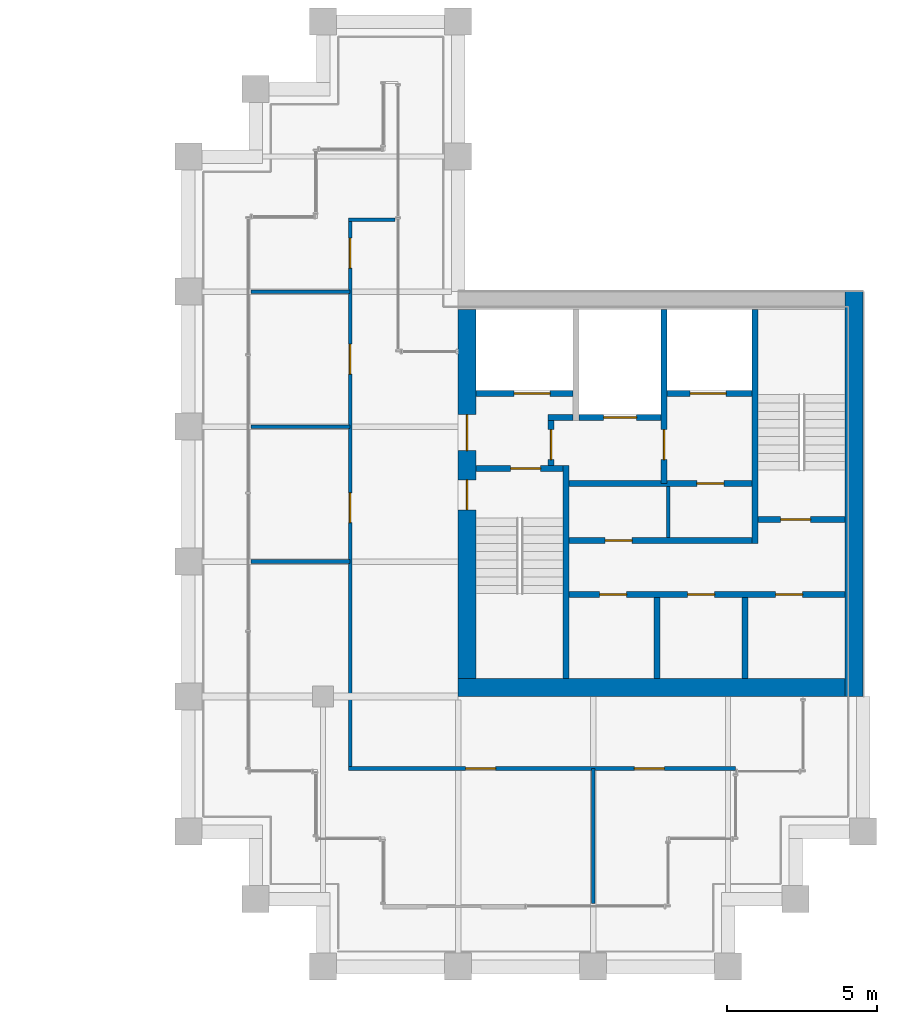
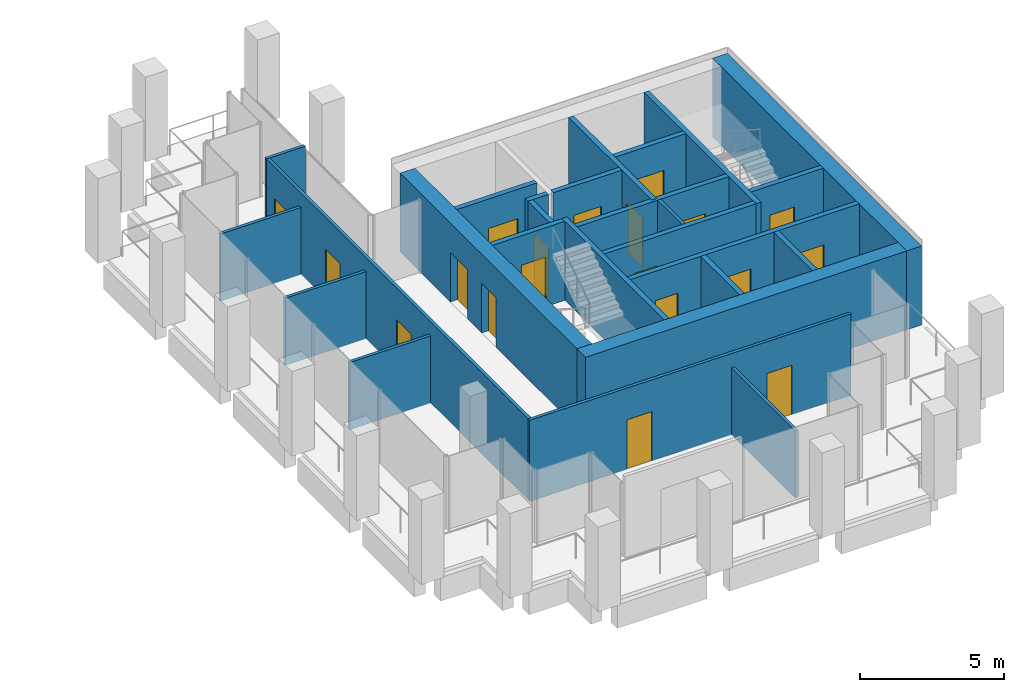
# One storey, part 38 of 40: 26 walls, 19 doors, 19 openings.
"""IFC4 building model written with IfcOpenShell, lengths in metres."""

from ifc_helpers import new_model, si_unit, direction, frame, frame_2d, origin, place, context, subcontext, project, spatial, rectangle, extrude, material, layer, layer_set, type_object, element, fill, save


model = new_model("IFC4")

# Units and contexts
model_context = context("Model", 3, precision=1e-05, world=origin(), true_north=direction((0.0, 1.0)))
body_context = subcontext(model_context, "Body", "Model", "MODEL_VIEW")
ifc_project = project(units=[si_unit("LENGTHUNIT", "METRE"), si_unit("AREAUNIT", "SQUARE_METRE"), si_unit("VOLUMEUNIT", "CUBIC_METRE"), si_unit("PLANEANGLEUNIT", "RADIAN"), si_unit("MASSUNIT", "GRAM", prefix="KILO")], contexts=[model_context])

# Site, building, storey
site_placement = place(None, origin())
site = spatial("IfcSite", under=ifc_project, at=site_placement, CompositionType="ELEMENT")
building_placement = place(site_placement, origin())
building = spatial("IfcBuilding", under=site, at=building_placement, Name="Altepetl Exchange Towers", CompositionType="ELEMENT")
storey_placement = place(building_placement, frame((0.0, 0.0, 151.0)))
storey = spatial("IfcBuildingStorey", under=building, at=storey_placement, Name="L37", CompositionType="ELEMENT", Elevation=151.0)

# Wall
ifc_material_1 = material(Name="Concrete C70/85", Category="concrete")
ifc_layer_1 = layer(ifc_material_1, 0.60009765625)
ifc_layer_set_1 = layer_set([ifc_layer_1], Name="Concrete C70/85")
wall_type_1 = type_object("IfcWallType", Name="Core wall 600 reinforced concrete", PredefinedType="SHEAR", material=ifc_layer_set_1)
wall_1_placement = place(storey_placement, frame((103.5, 36.300048828125, 0.0)))
element("IfcWall", 1, at=wall_1_placement, inside=storey, type_object=wall_type_1, Name="wall:B:L37:K-coreS", PredefinedType="SHEAR", context=body_context, shape_type="SweptSolid", body=[
    extrude(rectangle(XDim=12.89990234375, YDim=0.60009765625, at=frame_2d((6.449951171875, 0.0))), origin(), (0.0, 0.0, 1.0), 3.35009765625),
])

# Wall, openings, doors
wall_2_placement = place(storey_placement, frame((103.800048828125, 36.60009765625, 0.0), z_axis=(0.0, 0.0, 1.0), x_axis=(0.0, 1.0, 0.0)))
wall_2 = element("IfcWall", 2, at=wall_2_placement, inside=storey, type_object=wall_type_1, Name="wall:B:L37:K-coreW", PredefinedType="SHEAR", context=body_context, shape_type="SweptSolid", body=[
    extrude(rectangle(XDim=12.2998046875, YDim=0.60009765625, at=frame_2d((6.14990234375, 0.0))), origin(), (0.0, 0.0, 1.0), 3.35009765625),
])
opening_1_placement = place(wall_2_placement, frame((7.60009765625, 0.0, 0.0)))
opening_1 = element("IfcOpeningElement", 3, at=opening_1_placement, cuts=wall_2, Name="Opening L37.B60", PredefinedType="OPENING", context=body_context, shape_type="SweptSolid", body=[
    extrude(rectangle(XDim=1.199951171875, YDim=2.10009765625, at=frame_2d((0.60009765625, 1.050048828125))), frame((0.0, 0.31005859375, 0.0), z_axis=(0.0, -1.0, 0.0), x_axis=(1.0, 0.0, 0.0)), (0.0, 0.0, 1.0), 0.6201171875),
])
opening_2_placement = place(wall_2_placement, frame((5.625, 0.0, 0.0)))
opening_2 = element("IfcOpeningElement", 4, at=opening_2_placement, cuts=wall_2, Name="Opening L37.B62", PredefinedType="OPENING", context=body_context, shape_type="SweptSolid", body=[
    extrude(rectangle(XDim=1.0, YDim=2.10009765625, at=frame_2d((0.5, 1.050048828125))), frame((0.0, 0.31005859375, 0.0), z_axis=(0.0, -1.0, 0.0), x_axis=(1.0, 0.0, 0.0)), (0.0, 0.0, 1.0), 0.6201171875),
])
ifc_material_2 = material(Name="Steel and timber fire door", Category="steel")
door_type_1 = type_object("IfcDoorType", Name="Fire door 1000 x 2100 stair and lobby", OperationType="SINGLE_SWING_LEFT", PredefinedType="DOOR", material=ifc_material_2)
door_1_placement = place(opening_2_placement, frame((1.0, 0.0, 0.0), x_axis=(-1.0, 0.0, 0.0)))
door_1 = element("IfcDoor", 5, at=door_1_placement, inside=storey, type_object=door_type_1, Name="door:B:L37:K-dS1x", OperationType="SINGLE_SWING_RIGHT", OverallHeight=2.10009765625, OverallWidth=1.0, PredefinedType="DOOR", context=body_context, shape_type="SweptSolid", body=[
    extrude(rectangle(XDim=1.0, YDim=2.10009765625, at=frame_2d((0.5, 1.050048828125))), frame((0.0, 0.02490234375, 0.0), z_axis=(0.0, -1.0, 0.0), x_axis=(1.0, 0.0, 0.0)), (0.0, 0.0, 1.0), 0.050048828125),
])
fill(opening_2, door_1)
door_type_2 = type_object("IfcDoorType", Name="Fire door 1200 x 2100 lobby entry", OperationType="SINGLE_SWING_LEFT", PredefinedType="DOOR", material=ifc_material_2)
door_2_placement = place(opening_1_placement, frame((1.199951171875, 0.0, 0.0), x_axis=(-1.0, 0.0, 0.0)))
door_2 = element("IfcDoor", 6, at=door_2_placement, inside=storey, type_object=door_type_2, Name="door:B:L37:K-dLNW", OperationType="SINGLE_SWING_RIGHT", OverallHeight=2.10009765625, OverallWidth=1.199951171875, PredefinedType="DOOR", context=body_context, shape_type="SweptSolid", body=[
    extrude(rectangle(XDim=1.199951171875, YDim=2.10009765625, at=frame_2d((0.60009765625, 1.050048828125))), frame((0.0, 0.02490234375, 0.0), z_axis=(0.0, -1.0, 0.0), x_axis=(1.0, 0.0, 0.0)), (0.0, 0.0, 1.0), 0.050048828125),
])
fill(opening_1, door_2)

# Walls
ifc_layer_2 = layer(ifc_material_1, 0.60009765625)
ifc_layer_set_2 = layer_set([ifc_layer_2], Name="Concrete C70/85")
wall_type_2 = type_object("IfcWallType", Name="Core wall 600 reinforced concrete external", PredefinedType="SHEAR", material=ifc_layer_set_2)
wall_3_placement = place(storey_placement, frame((116.699951171875, 36.0, 0.0), z_axis=(0.0, 0.0, 1.0), x_axis=(0.0, 1.0, 0.0)))
element("IfcWall", 7, at=wall_3_placement, inside=storey, type_object=wall_type_2, Name="wall:B:L37:K-coreE", PredefinedType="SHEAR", context=body_context, shape_type="SweptSolid", body=[
    extrude(rectangle(XDim=13.5, YDim=0.60009765625, at=frame_2d((6.75, 0.0))), origin(), (0.0, 0.0, 1.0), 3.35009765625),
])
ifc_material_3 = material(Name="Concrete blockwork", Category="masonry")
ifc_layer_3 = layer(ifc_material_3, 0.199951171875)
ifc_layer_set_3 = layer_set([ifc_layer_3], Name="Concrete blockwork")
wall_type_3 = type_object("IfcWallType", Name="Lobby wall 200 blockwork", PredefinedType="PARTITIONING", material=ifc_layer_set_3)
wall_4_placement = place(storey_placement, frame((106.5, 45.300048828125, 0.0)))
element("IfcWall", 8, at=wall_4_placement, inside=storey, type_object=wall_type_3, Name="wall:B:L37:K-ffNw", PredefinedType="PARTITIONING", context=body_context, shape_type="SweptSolid", body=[
    extrude(rectangle(XDim=0.833251953125, YDim=0.199951171875, at=frame_2d((0.41650390625, 0.0))), origin(), (0.0, 0.0, 1.0), 3.35009765625),
])

# Wall, opening, door
wall_5_placement = place(storey_placement, frame((106.60009765625, 43.699951171875, 0.0), z_axis=(0.0, 0.0, 1.0), x_axis=(0.0, 1.0, 0.0)))
wall_5 = element("IfcWall", 9, at=wall_5_placement, inside=storey, type_object=wall_type_3, Name="wall:B:L37:K-ffW", PredefinedType="PARTITIONING", context=body_context, shape_type="SweptSolid", body=[
    extrude(rectangle(XDim=1.5, YDim=0.199951171875, at=frame_2d((0.75, 0.0))), origin(), (0.0, 0.0, 1.0), 3.35009765625),
])
opening_3_placement = place(wall_5_placement, frame((0.199951171875, 0.0, 0.0)))
opening_3 = element("IfcOpeningElement", 10, at=opening_3_placement, cuts=wall_5, Name="Opening L37.B65", PredefinedType="OPENING", context=body_context, shape_type="SweptSolid", body=[
    extrude(rectangle(XDim=1.0, YDim=2.10009765625, at=frame_2d((0.5, 1.050048828125))), frame((0.0, 0.10986328125, 0.0), z_axis=(0.0, -1.0, 0.0), x_axis=(1.0, 0.0, 0.0)), (0.0, 0.0, 1.0), 0.219970703125),
])
door_3_placement = place(opening_3_placement, frame((1.0, 0.0, 0.0), x_axis=(-1.0, 0.0, 0.0)))
door_3 = element("IfcDoor", 11, at=door_3_placement, inside=storey, type_object=door_type_1, Name="door:B:L37:K-dffW", OperationType="SINGLE_SWING_LEFT", OverallHeight=2.10009765625, OverallWidth=1.0, PredefinedType="DOOR", context=body_context, shape_type="SweptSolid", body=[
    extrude(rectangle(XDim=1.0, YDim=2.10009765625, at=frame_2d((0.5, 1.050048828125))), frame((0.0, 0.02490234375, 0.0), z_axis=(0.0, -1.0, 0.0), x_axis=(1.0, 0.0, 0.0)), (0.0, 0.0, 1.0), 0.050048828125),
])
fill(opening_3, door_3)

wall_6_placement = place(storey_placement, frame((107.199951171875, 43.10009765625, 0.0)))
wall_6 = element("IfcWall", 12, at=wall_6_placement, inside=storey, type_object=wall_type_3, Name="wall:B:L37:K-zoneN", PredefinedType="PARTITIONING", context=body_context, shape_type="SweptSolid", body=[
    extrude(rectangle(XDim=6.10009765625, YDim=0.199951171875, at=frame_2d((3.050048828125, 0.0))), origin(), (0.0, 0.0, 1.0), 3.35009765625),
])
opening_4_placement = place(wall_6_placement, frame((4.258544921875, 0.0, 0.0)))
opening_4 = element("IfcOpeningElement", 13, at=opening_4_placement, cuts=wall_6, Name="Opening L37.B70", PredefinedType="OPENING", context=body_context, shape_type="SweptSolid", body=[
    extrude(rectangle(XDim=0.89990234375, YDim=2.10009765625, at=frame_2d((0.449951171875, 1.050048828125))), frame((0.0, 0.10986328125, 0.0), z_axis=(0.0, -1.0, 0.0), x_axis=(1.0, 0.0, 0.0)), (0.0, 0.0, 1.0), 0.219970703125),
])
door_type_3 = type_object("IfcDoorType", Name="Fire door 900 x 2100 service room", OperationType="SINGLE_SWING_LEFT", PredefinedType="DOOR", material=ifc_material_2)
door_4_placement = place(opening_4_placement, frame((0.89990234375, 0.0, 0.0), x_axis=(-1.0, 0.0, 0.0)))
door_4 = element("IfcDoor", 14, at=door_4_placement, inside=storey, type_object=door_type_3, Name="door:B:L37:K-dz2", OperationType="SINGLE_SWING_LEFT", OverallHeight=2.10009765625, OverallWidth=0.89990234375, PredefinedType="DOOR", context=body_context, shape_type="SweptSolid", body=[
    extrude(rectangle(XDim=0.89990234375, YDim=2.10009765625, at=frame_2d((0.449951171875, 1.050048828125))), frame((0.0, 0.02490234375, 0.0), z_axis=(0.0, -1.0, 0.0), x_axis=(1.0, 0.0, 0.0)), (0.0, 0.0, 1.0), 0.050048828125),
])
fill(opening_4, door_4)

wall_7_placement = place(storey_placement, frame((107.199951171875, 41.199951171875, 0.0)))
wall_7 = element("IfcWall", 15, at=wall_7_placement, inside=storey, type_object=wall_type_3, Name="wall:B:L37:K-zoneS", PredefinedType="PARTITIONING", context=body_context, shape_type="SweptSolid", body=[
    extrude(rectangle(XDim=6.10009765625, YDim=0.199951171875, at=frame_2d((3.050048828125, 0.0))), origin(), (0.0, 0.0, 1.0), 3.35009765625),
])
opening_5_placement = place(wall_7_placement, frame((1.199951171875, 0.0, 0.0)))
opening_5 = element("IfcOpeningElement", 16, at=opening_5_placement, cuts=wall_7, Name="Opening L37.B69", PredefinedType="OPENING", context=body_context, shape_type="SweptSolid", body=[
    extrude(rectangle(XDim=0.89990234375, YDim=2.10009765625, at=frame_2d((0.449951171875, 1.050048828125))), frame((0.0, 0.10986328125, 0.0), z_axis=(0.0, -1.0, 0.0), x_axis=(1.0, 0.0, 0.0)), (0.0, 0.0, 1.0), 0.219970703125),
])
door_5_placement = place(opening_5_placement, origin())
door_5 = element("IfcDoor", 17, at=door_5_placement, inside=storey, type_object=door_type_3, Name="door:B:L37:K-dz1", OperationType="SINGLE_SWING_RIGHT", OverallHeight=2.10009765625, OverallWidth=0.89990234375, PredefinedType="DOOR", context=body_context, shape_type="SweptSolid", body=[
    extrude(rectangle(XDim=0.89990234375, YDim=2.10009765625, at=frame_2d((0.449951171875, 1.050048828125))), frame((0.0, 0.02490234375, 0.0), z_axis=(0.0, -1.0, 0.0), x_axis=(1.0, 0.0, 0.0)), (0.0, 0.0, 1.0), 0.050048828125),
])
fill(opening_5, door_5)

# Walls
ifc_material_4 = material(Name="Timber panels on aluminium track", Category="wood")
ifc_layer_4 = layer(ifc_material_4, 0.125)
ifc_layer_set_4 = layer_set([ifc_layer_4], Name="Timber panels on aluminium track")
wall_type_4 = type_object("IfcWallType", Name="Operable acoustic partition 125", PredefinedType="MOVABLE", material=ifc_layer_set_4)
for number, where, name in (
    (18, (96.60009765625, 45.0, 0.0), "wall:B:L37:P03"),
    (19, (96.60009765625, 49.5, 0.0), "wall:B:L37:P04"),
):
    element("IfcWall", number, at=place(storey_placement, frame(where)), inside=storey, type_object=wall_type_4, Name=name, PredefinedType="MOVABLE", context=body_context, shape_type="SweptSolid", body=[
        extrude(rectangle(XDim=3.2998046875, YDim=0.125, at=frame_2d((1.64990234375, 0.0))), origin(), (0.0, 0.0, 1.0), 2.85107421875),
    ])
ifc_material_5 = material(Name="Gypsum board on steel studs", Category="steel")
ifc_layer_5 = layer(ifc_material_5, 0.125)
ifc_layer_set_5 = layer_set([ifc_layer_5], Name="Gypsum board on steel studs")
wall_type_5 = type_object("IfcWallType", Name="Partition 125 gypsum board on steel studs", PredefinedType="PARTITIONING", material=ifc_layer_set_5)
wall_8_placement = place(storey_placement, frame((110.5, 41.300048828125, 0.0), z_axis=(0.0, 0.0, 1.0), x_axis=(0.0, 1.0, 0.0)))
element("IfcWall", 20, at=wall_8_placement, inside=storey, type_object=wall_type_5, Name="wall:B:L37:K-zp1", PredefinedType="PARTITIONING", context=body_context, shape_type="SweptSolid", body=[
    extrude(rectangle(XDim=1.699951171875, YDim=0.125, at=frame_2d((0.85009765625, 0.0))), origin(), (0.0, 0.0, 1.0), 3.35009765625),
])

# Wall, openings, doors
wall_9_placement = place(storey_placement, frame((99.83740234375, 33.60009765625, 0.0)))
wall_9 = element("IfcWall", 21, at=wall_9_placement, inside=storey, type_object=wall_type_5, Name="wall:B:L37:P01", PredefinedType="PARTITIONING", context=body_context, shape_type="SweptSolid", body=[
    extrude(rectangle(XDim=12.91259765625, YDim=0.125, at=frame_2d((6.456298828125, 0.0))), origin(), (0.0, 0.0, 1.0), 3.449951171875),
])
opening_6_placement = place(wall_9_placement, frame((3.91259765625, 0.0, 0.0)))
opening_6 = element("IfcOpeningElement", 22, at=opening_6_placement, cuts=wall_9, Name="Opening L37.B01", PredefinedType="OPENING", context=body_context, shape_type="SweptSolid", body=[
    extrude(rectangle(XDim=1.0, YDim=2.10009765625, at=frame_2d((0.5, 1.050048828125))), frame((0.0, 0.072509765625, 0.0), z_axis=(0.0, -1.0, 0.0), x_axis=(1.0, 0.0, 0.0)), (0.0, 0.0, 1.0), 0.14501953125),
])
opening_7_placement = place(wall_9_placement, frame((9.53857421875, 0.0, 0.0)))
opening_7 = element("IfcOpeningElement", 23, at=opening_7_placement, cuts=wall_9, Name="Opening L37.B02", PredefinedType="OPENING", context=body_context, shape_type="SweptSolid", body=[
    extrude(rectangle(XDim=1.0, YDim=2.10009765625, at=frame_2d((0.5, 1.050048828125))), frame((0.0, 0.072509765625, 0.0), z_axis=(0.0, -1.0, 0.0), x_axis=(1.0, 0.0, 0.0)), (0.0, 0.0, 1.0), 0.14501953125),
])
door_type_4 = type_object("IfcDoorType", Name="Fire door 1000 x 2100 single leaf", OperationType="SINGLE_SWING_LEFT", PredefinedType="DOOR", material=ifc_material_2)
door_6_placement = place(opening_6_placement, origin())
door_6 = element("IfcDoor", 24, at=door_6_placement, inside=storey, type_object=door_type_4, Name="door:B:L37:01", OperationType="SINGLE_SWING_RIGHT", OverallHeight=2.10009765625, OverallWidth=1.0, PredefinedType="DOOR", context=body_context, shape_type="SweptSolid", body=[
    extrude(rectangle(XDim=1.0, YDim=2.10009765625, at=frame_2d((0.5, 1.050048828125))), frame((0.0, 0.02490234375, 0.0), z_axis=(0.0, -1.0, 0.0), x_axis=(1.0, 0.0, 0.0)), (0.0, 0.0, 1.0), 0.050048828125),
])
fill(opening_6, door_6)
door_7_placement = place(opening_7_placement, frame((1.0, 0.0, 0.0), x_axis=(-1.0, 0.0, 0.0)))
door_7 = element("IfcDoor", 25, at=door_7_placement, inside=storey, type_object=door_type_4, Name="door:B:L37:02", OperationType="SINGLE_SWING_RIGHT", OverallHeight=2.10009765625, OverallWidth=1.0, PredefinedType="DOOR", context=body_context, shape_type="SweptSolid", body=[
    extrude(rectangle(XDim=1.0, YDim=2.10009765625, at=frame_2d((0.5, 1.050048828125))), frame((0.0, 0.02490234375, 0.0), z_axis=(0.0, -1.0, 0.0), x_axis=(1.0, 0.0, 0.0)), (0.0, 0.0, 1.0), 0.050048828125),
])
fill(opening_7, door_7)

# Walls
wall_10_placement = place(storey_placement, frame((96.60009765625, 40.5, 0.0)))
element("IfcWall", 26, at=wall_10_placement, inside=storey, type_object=wall_type_5, Name="wall:B:L37:P02", PredefinedType="PARTITIONING", context=body_context, shape_type="SweptSolid", body=[
    extrude(rectangle(XDim=3.2998046875, YDim=0.125, at=frame_2d((1.64990234375, 0.0))), origin(), (0.0, 0.0, 1.0), 2.85107421875),
])
wall_11_placement = place(storey_placement, frame((99.83740234375, 51.89990234375, 0.0)))
element("IfcWall", 27, at=wall_11_placement, inside=storey, type_object=wall_type_5, Name="wall:B:L37:P05", PredefinedType="PARTITIONING", context=body_context, shape_type="SweptSolid", body=[
    extrude(rectangle(XDim=1.5625, YDim=0.125, at=frame_2d((0.78125, 0.0))), origin(), (0.0, 0.0, 1.0), 3.449951171875),
])

# Wall, openings, doors
wall_12_placement = place(storey_placement, frame((99.89990234375, 33.66259765625, 0.0), z_axis=(0.0, 0.0, 1.0), x_axis=(0.0, 1.0, 0.0)))
wall_12 = element("IfcWall", 28, at=wall_12_placement, inside=storey, type_object=wall_type_5, Name="wall:B:L37:P06", PredefinedType="PARTITIONING", context=body_context, shape_type="SweptSolid", body=[
    extrude(rectangle(XDim=18.1748046875, YDim=0.125, at=frame_2d((9.08740234375, 0.0))), origin(), (0.0, 0.0, 1.0), 3.449951171875),
])
opening_8_placement = place(wall_12_placement, frame((16.62548828125, 0.0, 0.0)))
opening_8 = element("IfcOpeningElement", 29, at=opening_8_placement, cuts=wall_12, Name="Opening L37.B03", PredefinedType="OPENING", context=body_context, shape_type="SweptSolid", body=[
    extrude(rectangle(XDim=1.0, YDim=2.10009765625, at=frame_2d((0.5, 1.050048828125))), frame((0.0, 0.072509765625, 0.0), z_axis=(0.0, -1.0, 0.0), x_axis=(1.0, 0.0, 0.0)), (0.0, 0.0, 1.0), 0.14501953125),
])
opening_9_placement = place(wall_12_placement, frame((13.08740234375, 0.0, 0.0)))
opening_9 = element("IfcOpeningElement", 30, at=opening_9_placement, cuts=wall_12, Name="Opening L37.B04", PredefinedType="OPENING", context=body_context, shape_type="SweptSolid", body=[
    extrude(rectangle(XDim=1.0, YDim=2.10009765625, at=frame_2d((0.5, 1.050048828125))), frame((0.0, 0.072509765625, 0.0), z_axis=(0.0, -1.0, 0.0), x_axis=(1.0, 0.0, 0.0)), (0.0, 0.0, 1.0), 0.14501953125),
])
opening_10_placement = place(wall_12_placement, frame((8.132568359375, 0.0, 0.0)))
opening_10 = element("IfcOpeningElement", 31, at=opening_10_placement, cuts=wall_12, Name="Opening L37.B05", PredefinedType="OPENING", context=body_context, shape_type="SweptSolid", body=[
    extrude(rectangle(XDim=1.0, YDim=2.10009765625, at=frame_2d((0.5, 1.050048828125))), frame((0.0, 0.072509765625, 0.0), z_axis=(0.0, -1.0, 0.0), x_axis=(1.0, 0.0, 0.0)), (0.0, 0.0, 1.0), 0.14501953125),
])
door_8_placement = place(opening_8_placement, origin())
door_8 = element("IfcDoor", 32, at=door_8_placement, inside=storey, type_object=door_type_4, Name="door:B:L37:03", OperationType="SINGLE_SWING_RIGHT", OverallHeight=2.10009765625, OverallWidth=1.0, PredefinedType="DOOR", context=body_context, shape_type="SweptSolid", body=[
    extrude(rectangle(XDim=1.0, YDim=2.10009765625, at=frame_2d((0.5, 1.050048828125))), frame((0.0, 0.02490234375, 0.0), z_axis=(0.0, -1.0, 0.0), x_axis=(1.0, 0.0, 0.0)), (0.0, 0.0, 1.0), 0.050048828125),
])
fill(opening_8, door_8)
door_9_placement = place(opening_9_placement, origin())
door_9 = element("IfcDoor", 33, at=door_9_placement, inside=storey, type_object=door_type_4, Name="door:B:L37:04", OperationType="SINGLE_SWING_LEFT", OverallHeight=2.10009765625, OverallWidth=1.0, PredefinedType="DOOR", context=body_context, shape_type="SweptSolid", body=[
    extrude(rectangle(XDim=1.0, YDim=2.10009765625, at=frame_2d((0.5, 1.050048828125))), frame((0.0, 0.02490234375, 0.0), z_axis=(0.0, -1.0, 0.0), x_axis=(1.0, 0.0, 0.0)), (0.0, 0.0, 1.0), 0.050048828125),
])
fill(opening_9, door_9)
door_10_placement = place(opening_10_placement, origin())
door_10 = element("IfcDoor", 34, at=door_10_placement, inside=storey, type_object=door_type_4, Name="door:B:L37:05", OperationType="SINGLE_SWING_RIGHT", OverallHeight=2.10009765625, OverallWidth=1.0, PredefinedType="DOOR", context=body_context, shape_type="SweptSolid", body=[
    extrude(rectangle(XDim=1.0, YDim=2.10009765625, at=frame_2d((0.5, 1.050048828125))), frame((0.0, 0.02490234375, 0.0), z_axis=(0.0, -1.0, 0.0), x_axis=(1.0, 0.0, 0.0)), (0.0, 0.0, 1.0), 0.050048828125),
])
fill(opening_10, door_10)

# Wall
wall_13_placement = place(storey_placement, frame((108.0, 29.10009765625, 0.0), z_axis=(0.0, 0.0, 1.0), x_axis=(0.0, 1.0, 0.0)))
element("IfcWall", 35, at=wall_13_placement, inside=storey, type_object=wall_type_5, Name="wall:B:L37:P07", PredefinedType="PARTITIONING", context=body_context, shape_type="SweptSolid", body=[
    extrude(rectangle(XDim=4.5, YDim=0.125, at=frame_2d((2.25, 0.0))), origin(), (0.0, 0.0, 1.0), 2.85107421875),
])

# Wall, opening, door
ifc_material_6 = material(Name="Concrete C40/50", Category="concrete")
ifc_layer_6 = layer(ifc_material_6, 0.199951171875)
ifc_layer_set_6 = layer_set([ifc_layer_6], Name="Concrete C40/50")
wall_type_6 = type_object("IfcWallType", Name="Shaft wall 200 reinforced concrete", PredefinedType="SHEAR", material=ifc_layer_set_6)
wall_14_placement = place(storey_placement, frame((110.36669921875, 48.89990234375, 0.0), z_axis=(0.0, 0.0, 1.0), x_axis=(0.0, -1.0, 0.0)))
wall_14 = element("IfcWall", 36, at=wall_14_placement, inside=storey, type_object=wall_type_6, Name="wall:B:L37:K-divN2", PredefinedType="SHEAR", context=body_context, shape_type="SweptSolid", body=[
    extrude(rectangle(XDim=5.7998046875, YDim=0.199951171875, at=frame_2d((2.89990234375, 0.0))), origin(), (0.0, 0.0, 1.0), 3.35009765625),
])
opening_11_placement = place(wall_14_placement, frame((4.0, 0.0, 0.0)))
opening_11 = element("IfcOpeningElement", 37, at=opening_11_placement, cuts=wall_14, Name="Opening L37.B64", PredefinedType="OPENING", context=body_context, shape_type="SweptSolid", body=[
    extrude(rectangle(XDim=1.0, YDim=2.10009765625, at=frame_2d((0.5, 1.050048828125))), frame((0.0, 0.10986328125, 0.0), z_axis=(0.0, -1.0, 0.0), x_axis=(1.0, 0.0, 0.0)), (0.0, 0.0, 1.0), 0.219970703125),
])
door_11_placement = place(opening_11_placement, frame((1.0, 0.0, 0.0), x_axis=(-1.0, 0.0, 0.0)))
door_11 = element("IfcDoor", 38, at=door_11_placement, inside=storey, type_object=door_type_1, Name="door:B:L37:K-dffE", OperationType="SINGLE_SWING_RIGHT", OverallHeight=2.10009765625, OverallWidth=1.0, PredefinedType="DOOR", context=body_context, shape_type="SweptSolid", body=[
    extrude(rectangle(XDim=1.0, YDim=2.10009765625, at=frame_2d((0.5, 1.050048828125))), frame((0.0, 0.02490234375, 0.0), z_axis=(0.0, -1.0, 0.0), x_axis=(1.0, 0.0, 0.0)), (0.0, 0.0, 1.0), 0.050048828125),
])
fill(opening_11, door_11)

wall_15_placement = place(storey_placement, frame((104.10009765625, 46.10009765625, 0.0)))
wall_15 = element("IfcWall", 39, at=wall_15_placement, inside=storey, type_object=wall_type_6, Name="wall:B:L37:K-frontNa", PredefinedType="SHEAR", context=body_context, shape_type="SweptSolid", body=[
    extrude(rectangle(XDim=3.233154296875, YDim=0.199951171875, at=frame_2d((1.61669921875, 0.0))), origin(), (0.0, 0.0, 1.0), 3.35009765625),
])
opening_12_placement = place(wall_15_placement, frame((1.2666015625, 0.0, 0.0)))
opening_12 = element("IfcOpeningElement", 40, at=opening_12_placement, cuts=wall_15, Name="Opening L37.B72", PredefinedType="OPENING", context=body_context, shape_type="SweptSolid", body=[
    extrude(rectangle(XDim=1.199951171875, YDim=2.10009765625, at=frame_2d((0.60009765625, 1.050048828125))), frame((0.0, 0.10986328125, 0.0), z_axis=(0.0, -1.0, 0.0), x_axis=(1.0, 0.0, 0.0)), (0.0, 0.0, 1.0), 0.219970703125),
])
ifc_material_7 = material(Name="Stainless steel", Category="steel")
door_type_5 = type_object("IfcDoorType", Name="Lift landing door 1200 x 2100", OperationType="SLIDING_TO_LEFT", PredefinedType="DOOR", material=ifc_material_7)
door_12_placement = place(opening_12_placement, origin())
door_12 = element("IfcDoor", 41, at=door_12_placement, inside=storey, type_object=door_type_5, Name="Landing door P4", OperationType="SLIDING_TO_LEFT", OverallHeight=2.10009765625, OverallWidth=1.199951171875, PredefinedType="DOOR", context=body_context, shape_type="SweptSolid", body=[
    extrude(rectangle(XDim=1.199951171875, YDim=2.10009765625, at=frame_2d((0.60009765625, 1.050048828125))), frame((0.0, 0.02490234375, 0.0), z_axis=(0.0, -1.0, 0.0), x_axis=(1.0, 0.0, 0.0)), (0.0, 0.0, 1.0), 0.050048828125),
])
fill(opening_12, door_12)

wall_16_placement = place(storey_placement, frame((110.466796875, 46.10009765625, 0.0)))
wall_16 = element("IfcWall", 42, at=wall_16_placement, inside=storey, type_object=wall_type_6, Name="wall:B:L37:K-frontNb", PredefinedType="SHEAR", context=body_context, shape_type="SweptSolid", body=[
    extrude(rectangle(XDim=2.833251953125, YDim=0.199951171875, at=frame_2d((1.41650390625, 0.0))), origin(), (0.0, 0.0, 1.0), 3.35009765625),
])
opening_13_placement = place(wall_16_placement, frame((0.7666015625, 0.0, 0.0)))
opening_13 = element("IfcOpeningElement", 43, at=opening_13_placement, cuts=wall_16, Name="Opening L37.B73", PredefinedType="OPENING", context=body_context, shape_type="SweptSolid", body=[
    extrude(rectangle(XDim=1.199951171875, YDim=2.10009765625, at=frame_2d((0.60009765625, 1.050048828125))), frame((0.0, 0.10986328125, 0.0), z_axis=(0.0, -1.0, 0.0), x_axis=(1.0, 0.0, 0.0)), (0.0, 0.0, 1.0), 0.219970703125),
])
door_13_placement = place(opening_13_placement, origin())
door_13 = element("IfcDoor", 44, at=door_13_placement, inside=storey, type_object=door_type_5, Name="Landing door P5", OperationType="SLIDING_TO_LEFT", OverallHeight=2.10009765625, OverallWidth=1.199951171875, PredefinedType="DOOR", context=body_context, shape_type="SweptSolid", body=[
    extrude(rectangle(XDim=1.199951171875, YDim=2.10009765625, at=frame_2d((0.60009765625, 1.050048828125))), frame((0.0, 0.02490234375, 0.0), z_axis=(0.0, -1.0, 0.0), x_axis=(1.0, 0.0, 0.0)), (0.0, 0.0, 1.0), 0.050048828125),
])
fill(opening_13, door_13)

wall_17_placement = place(storey_placement, frame((107.533203125, 45.300048828125, 0.0)))
wall_17 = element("IfcWall", 45, at=wall_17_placement, inside=storey, type_object=wall_type_6, Name="wall:B:L37:K-frontNd", PredefinedType="SHEAR", context=body_context, shape_type="SweptSolid", body=[
    extrude(rectangle(XDim=2.7333984375, YDim=0.199951171875, at=frame_2d((1.36669921875, 0.0))), origin(), (0.0, 0.0, 1.0), 3.35009765625),
])
opening_14_placement = place(wall_17_placement, frame((0.816650390625, 0.0, 0.0)))
opening_14 = element("IfcOpeningElement", 46, at=opening_14_placement, cuts=wall_17, Name="Opening L37.B71", PredefinedType="OPENING", context=body_context, shape_type="SweptSolid", body=[
    extrude(rectangle(XDim=1.10009765625, YDim=2.10009765625, at=frame_2d((0.550048828125, 1.050048828125))), frame((0.0, 0.10986328125, 0.0), z_axis=(0.0, -1.0, 0.0), x_axis=(1.0, 0.0, 0.0)), (0.0, 0.0, 1.0), 0.219970703125),
])
door_type_6 = type_object("IfcDoorType", Name="Lift landing door 1100 x 2100", OperationType="SLIDING_TO_LEFT", PredefinedType="DOOR", material=ifc_material_7)
door_14_placement = place(opening_14_placement, origin())
door_14 = element("IfcDoor", 47, at=door_14_placement, inside=storey, type_object=door_type_6, Name="Landing door FFL1", OperationType="SLIDING_TO_LEFT", OverallHeight=2.10009765625, OverallWidth=1.10009765625, PredefinedType="DOOR", context=body_context, shape_type="SweptSolid", body=[
    extrude(rectangle(XDim=1.10009765625, YDim=2.10009765625, at=frame_2d((0.550048828125, 1.050048828125))), frame((0.0, 0.02490234375, 0.0), z_axis=(0.0, -1.0, 0.0), x_axis=(1.0, 0.0, 0.0)), (0.0, 0.0, 1.0), 0.050048828125),
])
fill(opening_14, door_14)

# Wall, openings, doors
wall_18_placement = place(storey_placement, frame((107.199951171875, 39.39990234375, 0.0)))
wall_18 = element("IfcWall", 48, at=wall_18_placement, inside=storey, type_object=wall_type_6, Name="wall:B:L37:K-frontS", PredefinedType="SHEAR", context=body_context, shape_type="SweptSolid", body=[
    extrude(rectangle(XDim=9.199951171875, YDim=0.199951171875, at=frame_2d((4.60009765625, 0.0))), origin(), (0.0, 0.0, 1.0), 3.35009765625),
])
opening_15_placement = place(wall_18_placement, frame((1.0166015625, 0.0, 0.0)))
opening_15 = element("IfcOpeningElement", 49, at=opening_15_placement, cuts=wall_18, Name="Opening L37.B66", PredefinedType="OPENING", context=body_context, shape_type="SweptSolid", body=[
    extrude(rectangle(XDim=0.89990234375, YDim=2.10009765625, at=frame_2d((0.449951171875, 1.050048828125))), frame((0.0, 0.10986328125, 0.0), z_axis=(0.0, -1.0, 0.0), x_axis=(1.0, 0.0, 0.0)), (0.0, 0.0, 1.0), 0.219970703125),
])
opening_16_placement = place(wall_18_placement, frame((3.949951171875, 0.0, 0.0)))
opening_16 = element("IfcOpeningElement", 50, at=opening_16_placement, cuts=wall_18, Name="Opening L37.B67", PredefinedType="OPENING", context=body_context, shape_type="SweptSolid", body=[
    extrude(rectangle(XDim=0.89990234375, YDim=2.10009765625, at=frame_2d((0.449951171875, 1.050048828125))), frame((0.0, 0.10986328125, 0.0), z_axis=(0.0, -1.0, 0.0), x_axis=(1.0, 0.0, 0.0)), (0.0, 0.0, 1.0), 0.219970703125),
])
opening_17_placement = place(wall_18_placement, frame((6.88330078125, 0.0, 0.0)))
opening_17 = element("IfcOpeningElement", 51, at=opening_17_placement, cuts=wall_18, Name="Opening L37.B68", PredefinedType="OPENING", context=body_context, shape_type="SweptSolid", body=[
    extrude(rectangle(XDim=0.89990234375, YDim=2.10009765625, at=frame_2d((0.449951171875, 1.050048828125))), frame((0.0, 0.10986328125, 0.0), z_axis=(0.0, -1.0, 0.0), x_axis=(1.0, 0.0, 0.0)), (0.0, 0.0, 1.0), 0.219970703125),
])
door_15_placement = place(opening_15_placement, frame((0.89990234375, 0.0, 0.0), x_axis=(-1.0, 0.0, 0.0)))
door_15 = element("IfcDoor", 52, at=door_15_placement, inside=storey, type_object=door_type_3, Name="door:B:L37:K-dslotS0", OperationType="SINGLE_SWING_LEFT", OverallHeight=2.10009765625, OverallWidth=0.89990234375, PredefinedType="DOOR", context=body_context, shape_type="SweptSolid", body=[
    extrude(rectangle(XDim=0.89990234375, YDim=2.10009765625, at=frame_2d((0.449951171875, 1.050048828125))), frame((0.0, 0.02490234375, 0.0), z_axis=(0.0, -1.0, 0.0), x_axis=(1.0, 0.0, 0.0)), (0.0, 0.0, 1.0), 0.050048828125),
])
fill(opening_15, door_15)
door_16_placement = place(opening_16_placement, frame((0.89990234375, 0.0, 0.0), x_axis=(-1.0, 0.0, 0.0)))
door_16 = element("IfcDoor", 53, at=door_16_placement, inside=storey, type_object=door_type_3, Name="door:B:L37:K-dslotS1", OperationType="SINGLE_SWING_LEFT", OverallHeight=2.10009765625, OverallWidth=0.89990234375, PredefinedType="DOOR", context=body_context, shape_type="SweptSolid", body=[
    extrude(rectangle(XDim=0.89990234375, YDim=2.10009765625, at=frame_2d((0.449951171875, 1.050048828125))), frame((0.0, 0.02490234375, 0.0), z_axis=(0.0, -1.0, 0.0), x_axis=(1.0, 0.0, 0.0)), (0.0, 0.0, 1.0), 0.050048828125),
])
fill(opening_16, door_16)
door_17_placement = place(opening_17_placement, frame((0.89990234375, 0.0, 0.0), x_axis=(-1.0, 0.0, 0.0)))
door_17 = element("IfcDoor", 54, at=door_17_placement, inside=storey, type_object=door_type_3, Name="door:B:L37:K-dslotS2", OperationType="SINGLE_SWING_LEFT", OverallHeight=2.10009765625, OverallWidth=0.89990234375, PredefinedType="DOOR", context=body_context, shape_type="SweptSolid", body=[
    extrude(rectangle(XDim=0.89990234375, YDim=2.10009765625, at=frame_2d((0.449951171875, 1.050048828125))), frame((0.0, 0.02490234375, 0.0), z_axis=(0.0, -1.0, 0.0), x_axis=(1.0, 0.0, 0.0)), (0.0, 0.0, 1.0), 0.050048828125),
])
fill(opening_17, door_17)

# Walls
ifc_layer_7 = layer(ifc_material_1, 0.199951171875)
ifc_layer_set_7 = layer_set([ifc_layer_7], Name="Concrete C70/85")
wall_type_7 = type_object("IfcWallType", Name="Shear wall 200 reinforced concrete", PredefinedType="SHEAR", material=ifc_layer_set_7)
for number, where, z_axis, x_axis, name in (
    (55, (110.13330078125, 36.60009765625, 0.0), (0.0, 0.0, 1.0), (0.0, 1.0, 0.0), "wall:B:L37:K-divS1"),
    (56, (113.066650390625, 36.60009765625, 0.0), (0.0, 0.0, 1.0), (0.0, 1.0, 0.0), "wall:B:L37:K-divS2"),
):
    element("IfcWall", number, at=place(storey_placement, frame(where, z_axis=z_axis, x_axis=x_axis)), inside=storey, type_object=wall_type_7, Name=name, PredefinedType="SHEAR", context=body_context, shape_type="SweptSolid", body=[
        extrude(rectangle(XDim=2.699951171875, YDim=0.199951171875, at=frame_2d((1.35009765625, 0.0))), origin(), (0.0, 0.0, 1.0), 3.35009765625),
    ])
ifc_layer_8 = layer(ifc_material_6, 0.199951171875)
ifc_layer_set_8 = layer_set([ifc_layer_8], Name="Concrete C40/50")
wall_type_8 = type_object("IfcWallType", Name="Stair wall 200 reinforced concrete", PredefinedType="SHEAR", material=ifc_layer_set_8)
wall_19_placement = place(storey_placement, frame((107.10009765625, 36.60009765625, 0.0), z_axis=(0.0, 0.0, 1.0), x_axis=(0.0, 1.0, 0.0)))
element("IfcWall", 57, at=wall_19_placement, inside=storey, type_object=wall_type_8, Name="wall:B:L37:K-stS1E", PredefinedType="SHEAR", context=body_context, shape_type="SweptSolid", body=[
    extrude(rectangle(XDim=7.099853515625, YDim=0.199951171875, at=frame_2d((3.5498046875, 0.0))), origin(), (0.0, 0.0, 1.0), 3.35009765625),
])

# Wall, opening, door
wall_20_placement = place(storey_placement, frame((104.10009765625, 43.60009765625, 0.0)))
wall_20 = element("IfcWall", 58, at=wall_20_placement, inside=storey, type_object=wall_type_8, Name="wall:B:L37:K-stS1N", PredefinedType="SHEAR", context=body_context, shape_type="SweptSolid", body=[
    extrude(rectangle(XDim=2.89990234375, YDim=0.199951171875, at=frame_2d((1.449951171875, 0.0))), origin(), (0.0, 0.0, 1.0), 3.35009765625),
])
opening_18_placement = place(wall_20_placement, frame((1.14990234375, 0.0, 0.0)))
opening_18 = element("IfcOpeningElement", 59, at=opening_18_placement, cuts=wall_20, Name="Opening L37.B61", PredefinedType="OPENING", context=body_context, shape_type="SweptSolid", body=[
    extrude(rectangle(XDim=1.0, YDim=2.10009765625, at=frame_2d((0.5, 1.050048828125))), frame((0.0, 0.10986328125, 0.0), z_axis=(0.0, -1.0, 0.0), x_axis=(1.0, 0.0, 0.0)), (0.0, 0.0, 1.0), 0.219970703125),
])
door_18_placement = place(opening_18_placement, frame((1.0, 0.0, 0.0), x_axis=(-1.0, 0.0, 0.0)))
door_18 = element("IfcDoor", 60, at=door_18_placement, inside=storey, type_object=door_type_1, Name="door:B:L37:K-dS1in", OperationType="SINGLE_SWING_LEFT", OverallHeight=2.10009765625, OverallWidth=1.0, PredefinedType="DOOR", context=body_context, shape_type="SweptSolid", body=[
    extrude(rectangle(XDim=1.0, YDim=2.10009765625, at=frame_2d((0.5, 1.050048828125))), frame((0.0, 0.02490234375, 0.0), z_axis=(0.0, -1.0, 0.0), x_axis=(1.0, 0.0, 0.0)), (0.0, 0.0, 1.0), 0.050048828125),
])
fill(opening_18, door_18)

wall_21_placement = place(storey_placement, frame((113.5, 41.89990234375, 0.0)))
wall_21 = element("IfcWall", 61, at=wall_21_placement, inside=storey, type_object=wall_type_8, Name="wall:B:L37:K-stS2S", PredefinedType="SHEAR", context=body_context, shape_type="SweptSolid", body=[
    extrude(rectangle(XDim=2.89990234375, YDim=0.199951171875, at=frame_2d((1.449951171875, 0.0))), origin(), (0.0, 0.0, 1.0), 3.35009765625),
])
opening_19_placement = place(wall_21_placement, frame((0.75, 0.0, 0.0)))
opening_19 = element("IfcOpeningElement", 62, at=opening_19_placement, cuts=wall_21, Name="Opening L37.B63", PredefinedType="OPENING", context=body_context, shape_type="SweptSolid", body=[
    extrude(rectangle(XDim=1.0, YDim=2.10009765625, at=frame_2d((0.5, 1.050048828125))), frame((0.0, 0.10986328125, 0.0), z_axis=(0.0, -1.0, 0.0), x_axis=(1.0, 0.0, 0.0)), (0.0, 0.0, 1.0), 0.219970703125),
])
door_19_placement = place(opening_19_placement, origin())
door_19 = element("IfcDoor", 63, at=door_19_placement, inside=storey, type_object=door_type_1, Name="door:B:L37:K-dS2in", OperationType="SINGLE_SWING_RIGHT", OverallHeight=2.10009765625, OverallWidth=1.0, PredefinedType="DOOR", context=body_context, shape_type="SweptSolid", body=[
    extrude(rectangle(XDim=1.0, YDim=2.10009765625, at=frame_2d((0.5, 1.050048828125))), frame((0.0, 0.02490234375, 0.0), z_axis=(0.0, -1.0, 0.0), x_axis=(1.0, 0.0, 0.0)), (0.0, 0.0, 1.0), 0.050048828125),
])
fill(opening_19, door_19)

# Wall
wall_22_placement = place(storey_placement, frame((113.39990234375, 41.10009765625, 0.0), z_axis=(0.0, 0.0, 1.0), x_axis=(0.0, 1.0, 0.0)))
element("IfcWall", 64, at=wall_22_placement, inside=storey, type_object=wall_type_8, Name="wall:B:L37:K-stS2W", PredefinedType="SHEAR", context=body_context, shape_type="SweptSolid", body=[
    extrude(rectangle(XDim=7.7998046875, YDim=0.199951171875, at=frame_2d((3.89990234375, 0.0))), origin(), (0.0, 0.0, 1.0), 3.35009765625),
])

save(model, "model.ifc")
